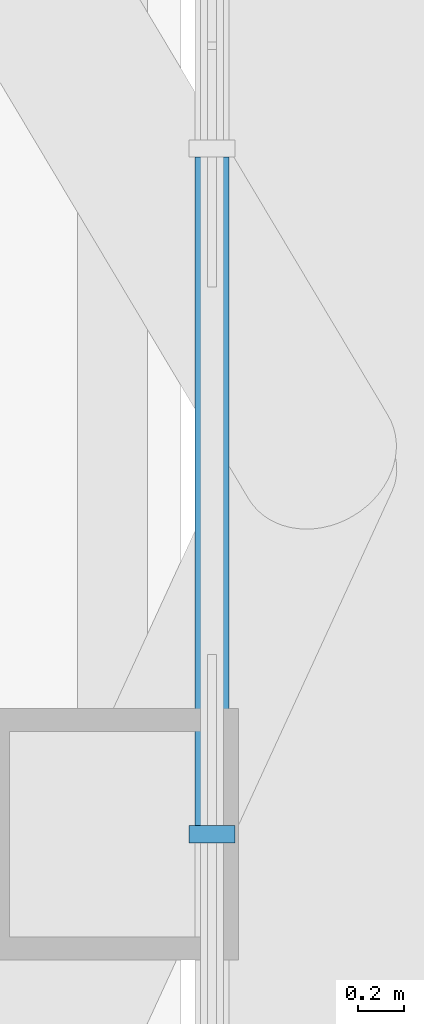
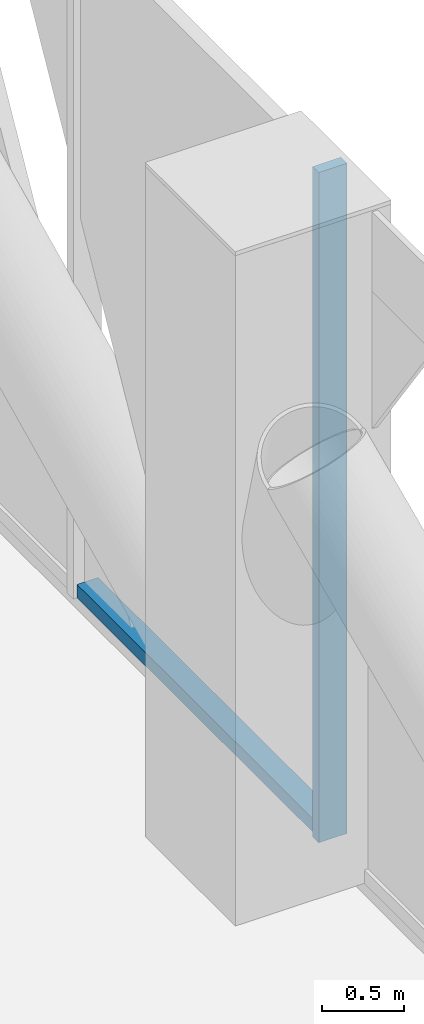
# One storey, part 9 of 29: 2 members, 1 element without a shape of its own.
"""IFC4 building model written with IfcOpenShell, lengths in metres."""

from ifc_helpers import new_model, si_unit, direction, frame, origin, origin_2d, place, context, subcontext, project, spatial, rectangle, extrude, material, layer, layer_set, material_profile, profile_set, type_object, element, aggregate, save


model = new_model("IFC4")

# Units and contexts
model_context = context("Model", 3, precision=1e-05, world=origin(), true_north=direction((0.0, 1.0)))
body_context = subcontext(model_context, "Body", "Model", "MODEL_VIEW")
ifc_project = project(units=[si_unit("LENGTHUNIT", "METRE"), si_unit("AREAUNIT", "SQUARE_METRE"), si_unit("VOLUMEUNIT", "CUBIC_METRE"), si_unit("PLANEANGLEUNIT", "RADIAN"), si_unit("MASSUNIT", "GRAM", prefix="KILO")], contexts=[model_context])

# Site, building, storey
site_placement = place(None, origin())
site = spatial("IfcSite", under=ifc_project, at=site_placement, CompositionType="ELEMENT")
building_placement = place(site_placement, origin())
building = spatial("IfcBuilding", under=site, at=building_placement, Name="Malebo Sky Hospital", CompositionType="ELEMENT")
storey_placement = place(building_placement, frame((0.0, 0.0, 172.0)))
storey = spatial("IfcBuildingStorey", under=building, at=storey_placement, Name="L41", CompositionType="ELEMENT", Elevation=172.0)

# Curtain wall, members
ifc_material = material(Name="Anodised aluminium, natural silver", Category="aluminium")
ifc_layer = layer(ifc_material, 0.25)
ifc_layer_set = layer_set([ifc_layer], Name="PLANT LOUVRE SCREEN")
curtain_wall_type = type_object("IfcCurtainWallType", Name="PLANT LOUVRE SCREEN", PredefinedType="NOTDEFINED", material=ifc_layer_set)
curtain_wall_placement = place(storey_placement, origin())
curtain_wall = element("IfcCurtainWall", 1, at=curtain_wall_placement, inside=storey, type_object=curtain_wall_type, Name="PLANT curtain wall E", PredefinedType="NOTDEFINED")
ifc_material_profile_1 = material_profile(ifc_material, rectangle(XDim=0.14990234375, YDim=0.10009765625, at=origin_2d()), Name="ALUMINIUM TRANSOM 150x100")
ifc_profile_set_1 = profile_set([ifc_material_profile_1], Name="Anodised aluminium, natural silver")
member_type_1 = type_object("IfcMemberType", Name="ALUMINIUM TRANSOM 150x100", PredefinedType="USERDEFINED", material=ifc_profile_set_1)
member_1_placement = place(storey_placement, frame((84.135009765625, 69.46240234375, 0.050048828125), z_axis=(0.0, -1.0, 0.0), x_axis=(1.0, 0.0, 0.0)))
member_1 = element("IfcMember", 2, at=member_1_placement, type_object=member_type_1, Name="Transom 6", ObjectType="TRANSOM", PredefinedType="USERDEFINED", context=body_context, shape_type="SweptSolid", body=[
    extrude(rectangle(XDim=0.14990234375, YDim=0.10009765625, at=origin_2d()), origin(), (0.0, 0.0, 1.0), 2.9248046875),
])
ifc_material_profile_2 = material_profile(ifc_material, rectangle(XDim=0.074951171875, YDim=0.199951171875, at=origin_2d()), Name="CW5 ALUMINIUM FIN MULLION 75x200")
ifc_profile_set_2 = profile_set([ifc_material_profile_2], Name="Anodised aluminium, natural silver")
member_type_2 = type_object("IfcMemberType", Name="CW5 ALUMINIUM FIN MULLION 75x200", PredefinedType="MULLION", material=ifc_profile_set_2)
member_2_placement = place(storey_placement, frame((84.135009765625, 66.5, 0.0), z_axis=(0.0, 0.0, 1.0), x_axis=(0.0, -1.0, 0.0)))
member_2 = element("IfcMember", 3, at=member_2_placement, type_object=member_type_2, Name="Fin mullion 7", PredefinedType="MULLION", context=body_context, shape_type="SweptSolid", body=[
    extrude(rectangle(XDim=0.074951171875, YDim=0.199951171875, at=origin_2d()), origin(), (0.0, 0.0, 1.0), 5.0),
])
aggregate(curtain_wall, [member_2, member_1])

save(model, "model.ifc")
